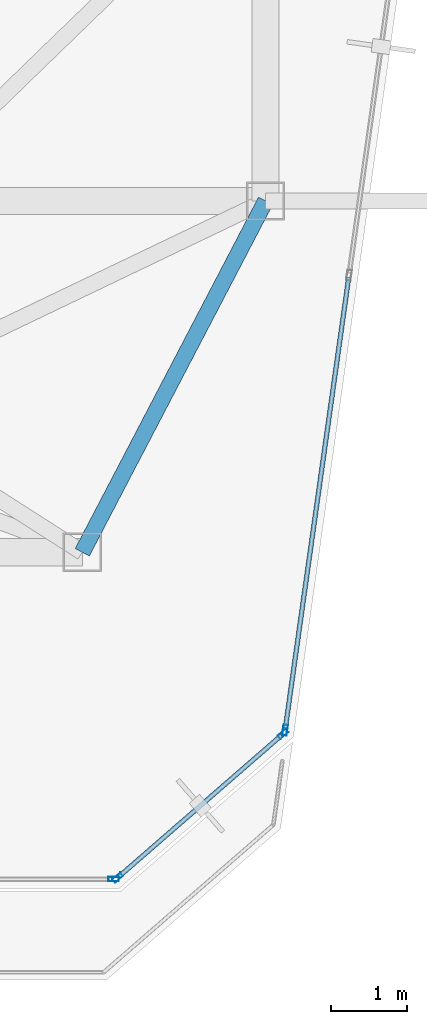
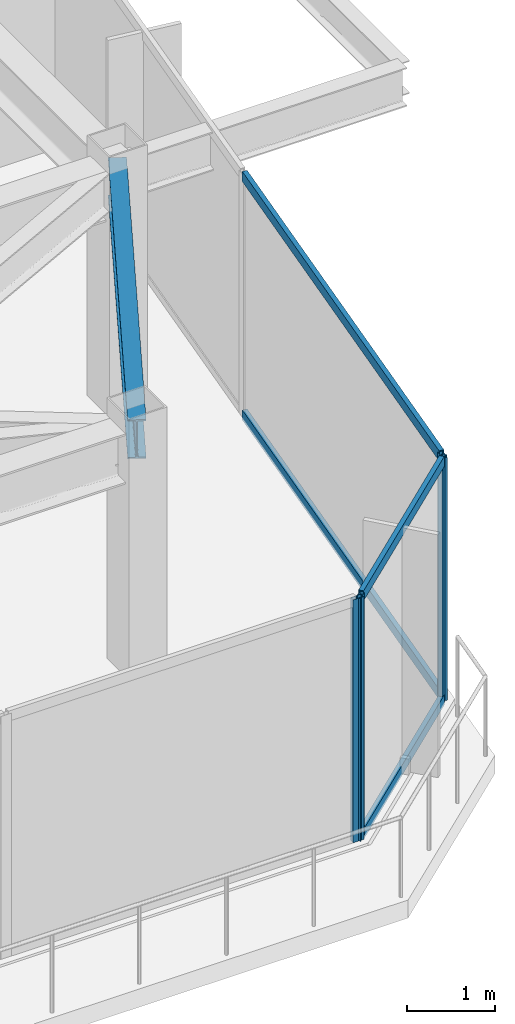
# One storey, part 11 of 20: 8 members, 1 beam, 3 elements without a shape of their own.
"""IFC4 building model written with IfcOpenShell, lengths in metres."""

from ifc_helpers import new_model, si_unit, direction, frame, origin, origin_2d, place, context, subcontext, project, spatial, hollow_rectangle, i_section, extrude, material, layer, layer_set, material_profile, profile_set, type_object, element, aggregate, save


model = new_model("IFC4")

# Units and contexts
model_context = context("Model", 3, precision=1e-05, world=origin(), true_north=direction((0.0, 1.0)))
body_context = subcontext(model_context, "Body", "Model", "MODEL_VIEW")
ifc_project = project(units=[si_unit("LENGTHUNIT", "METRE"), si_unit("AREAUNIT", "SQUARE_METRE"), si_unit("VOLUMEUNIT", "CUBIC_METRE"), si_unit("PLANEANGLEUNIT", "RADIAN"), si_unit("MASSUNIT", "GRAM", prefix="KILO")], contexts=[model_context])

# Site, building, storey
site_placement = place(None, origin())
site = spatial("IfcSite", under=ifc_project, at=site_placement, CompositionType="ELEMENT")
building_placement = place(site_placement, origin())
building = spatial("IfcBuilding", under=site, at=building_placement, Name="Kravanh Interchange Tower", CompositionType="ELEMENT")
storey_placement = place(building_placement, frame((0.0, 0.0, 245.39990234375)))
storey = spatial("IfcBuildingStorey", under=building, at=storey_placement, Name="L59", CompositionType="ELEMENT", Elevation=245.39990234375)

# Curtain wall, member
ifc_material_1 = material(Name="Anodised Bronze Aluminium", Category="aluminium")
ifc_layer = layer(ifc_material_1, 0.179931640625)
ifc_layer_set = layer_set([ifc_layer], Name="Unitised Curtain Wall System CW-HTL Luxury Hotel")
curtain_wall_type = type_object("IfcCurtainWallType", Name="Unitised Curtain Wall System CW-HTL Luxury Hotel", PredefinedType="NOTDEFINED", material=ifc_layer_set)
curtain_wall_1_placement = place(storey_placement, origin())
curtain_wall_1 = element("IfcCurtainWall", 1, at=curtain_wall_1_placement, inside=storey, type_object=curtain_wall_type, Name="L59 Unitised Curtain Wall CW-L59-01", PredefinedType="NOTDEFINED")
ifc_material_2 = material(Name="Anodised Bronze Aluminium", Category="aluminium")
ifc_material_profile_1 = material_profile(ifc_material_2, hollow_rectangle(XDim=0.06005859375, YDim=0.139892578125, WallThickness=0.00390625, at=origin_2d()), Name="ALU60X140X4")
ifc_profile_set_1 = profile_set([ifc_material_profile_1], Name="Anodised Bronze Aluminium")
member_type_1 = type_object("IfcMemberType", Name="Curtain Wall Mullion ALU60X140X4 Bronze", PredefinedType="MULLION", material=ifc_profile_set_1)
member_1_placement = place(storey_placement, frame((65.855224609375, 19.871337890625, 0.0), z_axis=(0.0, 0.0, 1.0), x_axis=(0.990267981542, -0.139173721418, 0.0)))
member_1 = element("IfcMember", 2, at=member_1_placement, type_object=member_type_1, Name="CW-HTL mullion 4", PredefinedType="MULLION", context=body_context, shape_type="SweptSolid", body=[
    extrude(hollow_rectangle(XDim=0.06005859375, YDim=0.139892578125, WallThickness=0.00390625, at=origin_2d()), origin(), (0.0, 0.0, 1.0), 3.360107421875),
])

# Curtain wall, members
curtain_wall_2_placement = place(storey_placement, origin())
curtain_wall_2 = element("IfcCurtainWall", 3, at=curtain_wall_2_placement, inside=storey, type_object=curtain_wall_type, Name="L59 Unitised Curtain Wall CW-L59-02", PredefinedType="NOTDEFINED")
member_2_placement = place(storey_placement, frame((65.828369140625, 19.822021484375, 0.0), z_axis=(0.0, 0.0, 1.0), x_axis=(0.656050227106, -0.754717231494, 0.0)))
member_2 = element("IfcMember", 4, at=member_2_placement, type_object=member_type_1, Name="CW-HTL mullion 1", PredefinedType="MULLION", context=body_context, shape_type="SweptSolid", body=[
    extrude(hollow_rectangle(XDim=0.06005859375, YDim=0.139892578125, WallThickness=0.00390625, at=origin_2d()), origin(), (0.0, 0.0, 1.0), 3.360107421875),
])
member_3_placement = place(storey_placement, frame((63.6630859375, 17.939697265625, 0.0), z_axis=(0.0, 0.0, 1.0), x_axis=(0.656050227106, -0.754717231494, 0.0)))
member_3 = element("IfcMember", 5, at=member_3_placement, type_object=member_type_1, Name="CW-HTL mullion 2", PredefinedType="MULLION", context=body_context, shape_type="SweptSolid", body=[
    extrude(hollow_rectangle(XDim=0.06005859375, YDim=0.139892578125, WallThickness=0.00390625, at=origin_2d()), origin(), (0.0, 0.0, 1.0), 3.360107421875),
])

# Curtain wall, member
curtain_wall_3_placement = place(storey_placement, origin())
curtain_wall_3 = element("IfcCurtainWall", 6, at=curtain_wall_3_placement, inside=storey, type_object=curtain_wall_type, Name="L59 Unitised Curtain Wall CW-L59-03", PredefinedType="NOTDEFINED")
member_4_placement = place(storey_placement, frame((63.610595703125, 17.919921875, 0.0), z_axis=(0.0, 0.0, 1.0), x_axis=(0.0, -1.0, 0.0)))
member_4 = element("IfcMember", 7, at=member_4_placement, type_object=member_type_1, Name="CW-HTL mullion 1", PredefinedType="MULLION", context=body_context, shape_type="SweptSolid", body=[
    extrude(hollow_rectangle(XDim=0.06005859375, YDim=0.139892578125, WallThickness=0.00390625, at=origin_2d()), origin(), (0.0, 0.0, 1.0), 3.360107421875),
])
aggregate(curtain_wall_3, [member_4])

# Member
ifc_material_3 = material(Name="Anodised Bronze Aluminium", Category="aluminium")
ifc_material_profile_2 = material_profile(ifc_material_3, hollow_rectangle(XDim=0.06005859375, YDim=0.139892578125, WallThickness=0.00390625, at=origin_2d()), Name="ALU60X140X4")
ifc_profile_set_2 = profile_set([ifc_material_profile_2], Name="Anodised Bronze Aluminium")
member_type_2 = type_object("IfcMemberType", Name="Curtain Wall Transom ALU60X140X4 Bronze", PredefinedType="USERDEFINED", material=ifc_profile_set_2)
member_5_placement = place(storey_placement, frame((66.688232421875, 25.798095703125, 0.030029296875), z_axis=(-0.139188244898, -0.990265940282, 0.0), x_axis=(0.990265940282, -0.139188244898, 0.0)))
member_5 = element("IfcMember", 8, at=member_5_placement, type_object=member_type_2, Name="CW-HTL transom 3.1", ObjectType="TRANSOM", PredefinedType="USERDEFINED", context=body_context, shape_type="SweptSolid", body=[
    extrude(hollow_rectangle(XDim=0.06005859375, YDim=0.139892578125, WallThickness=0.00390625, at=origin_2d()), origin(), (0.0, 0.0, 1.0), 5.954833984375),
])

member_6_placement = place(storey_placement, frame((66.688232421875, 25.798095703125, 3.330078125), z_axis=(-0.139188244898, -0.990265940282, 0.0), x_axis=(0.990265940282, -0.139188244898, 0.0)))
member_6 = element("IfcMember", 9, at=member_6_placement, type_object=member_type_2, Name="CW-HTL transom 3.2", ObjectType="TRANSOM", PredefinedType="USERDEFINED", context=body_context, shape_type="SweptSolid", body=[
    extrude(hollow_rectangle(XDim=0.06005859375, YDim=0.139892578125, WallThickness=0.00390625, at=origin_2d()), origin(), (0.0, 0.0, 1.0), 5.954833984375),
])

aggregate(curtain_wall_1, [member_1, member_5, member_6])

member_7_placement = place(storey_placement, frame((65.805908203125, 19.80224609375, 0.030029296875), z_axis=(-0.754747707805, -0.656015165651, 0.0), x_axis=(0.656015165651, -0.754747707805, 0.0)))
member_7 = element("IfcMember", 10, at=member_7_placement, type_object=member_type_2, Name="CW-HTL transom 1.1", ObjectType="TRANSOM", PredefinedType="USERDEFINED", context=body_context, shape_type="SweptSolid", body=[
    extrude(hollow_rectangle(XDim=0.06005859375, YDim=0.139892578125, WallThickness=0.00390625, at=origin_2d()), origin(), (0.0, 0.0, 1.0), 2.80908203125),
])

member_8_placement = place(storey_placement, frame((65.805908203125, 19.80224609375, 3.330078125), z_axis=(-0.754747707805, -0.656015165651, 0.0), x_axis=(0.656015165651, -0.754747707805, 0.0)))
member_8 = element("IfcMember", 11, at=member_8_placement, type_object=member_type_2, Name="CW-HTL transom 1.2", ObjectType="TRANSOM", PredefinedType="USERDEFINED", context=body_context, shape_type="SweptSolid", body=[
    extrude(hollow_rectangle(XDim=0.06005859375, YDim=0.139892578125, WallThickness=0.00390625, at=origin_2d()), origin(), (0.0, 0.0, 1.0), 2.80908203125),
])

aggregate(curtain_wall_2, [member_2, member_3, member_7, member_8])

# Beam
ifc_material_4 = material(Name="Structural Steel S355", Category="steel")
ifc_material_profile_3 = material_profile(ifc_material_4, i_section(OverallWidth=0.2099609375, OverallDepth=0.537109375, WebThickness=0.010986328125, FlangeThickness=0.017333984375, FilletRadius=0.02001953125, at=origin_2d()), Name="W21X68")
ifc_profile_set_3 = profile_set([ifc_material_profile_3], Name="Structural Steel S355")
beam_type = type_object("IfcBeamType", Name="Floor Spandrel W21X68 Structural Steel S355", PredefinedType="SPANDREL", material=ifc_profile_set_3)
beam_placement = place(storey_placement, frame((65.60009765625, 26.800048828125, 3.091552734375), z_axis=(-0.462580479178, -0.886577295155, 0.0), x_axis=(0.886577295155, -0.462580479178, 0.0)))
element("IfcBeam", 12, at=beam_placement, inside=storey, type_object=beam_type, Name="L59 Perimeter Spandrel 37", PredefinedType="SPANDREL", context=body_context, shape_type="SweptSolid", body=[
    extrude(i_section(OverallWidth=0.2099609375, OverallDepth=0.537109375, WebThickness=0.010986328125, FlangeThickness=0.017333984375, FilletRadius=0.02001953125, at=origin_2d()), origin(), (0.0, 0.0, 1.0), 5.188720703125),
])

save(model, "model.ifc")
